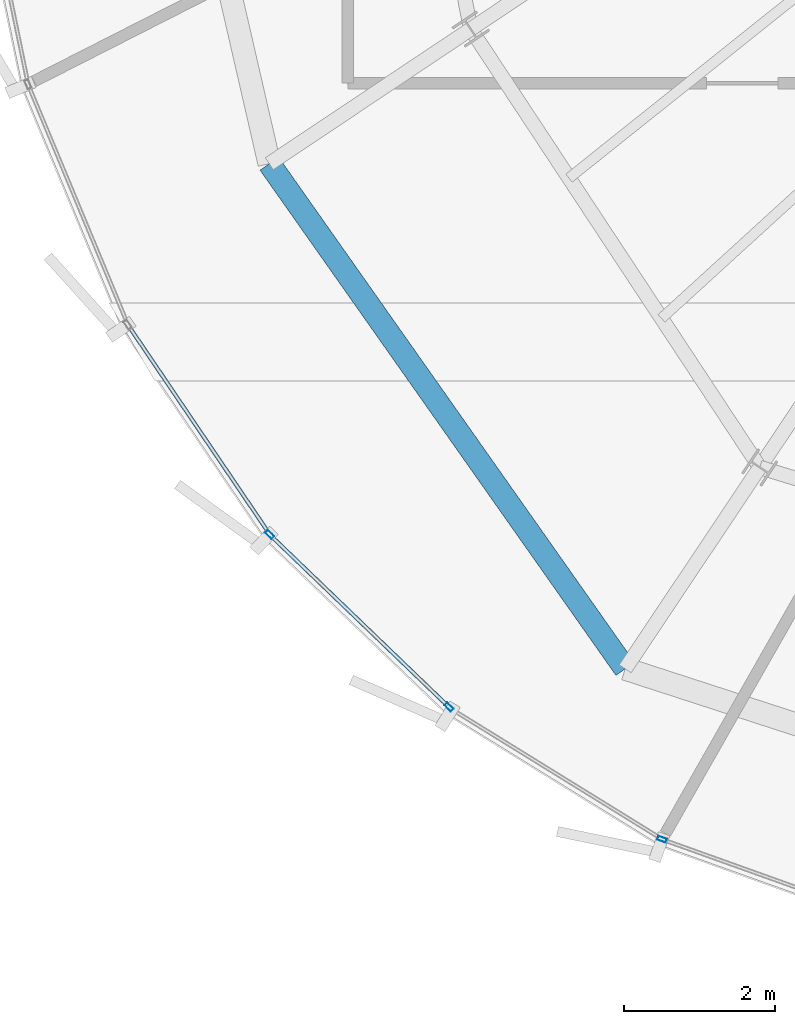
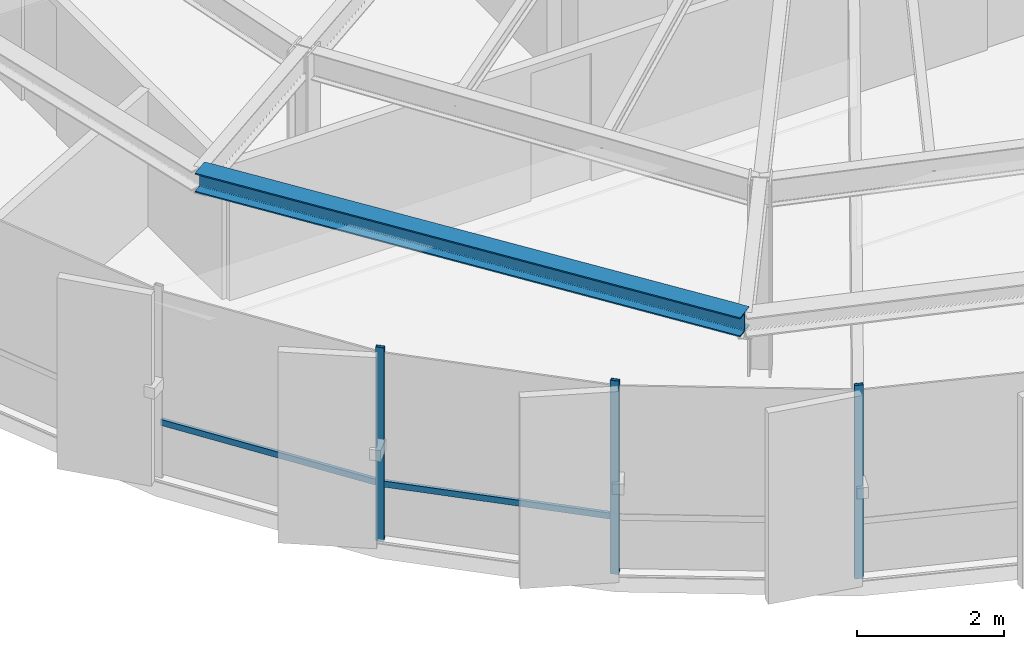
# One storey, part 2 of 35: 5 members, 1 beam, 2 elements without a shape of their own.
"""IFC4 building model written with IfcOpenShell, lengths in metres."""

from ifc_helpers import new_model, si_unit, direction, frame, origin, origin_2d, place, context, subcontext, project, spatial, hollow_rectangle, i_section, extrude, source, transform, mapped, material, layer, layer_set, material_profile, profile_set, type_object, element, aggregate, save


model = new_model("IFC4")

# Units and contexts
model_context = context("Model", 3, precision=1e-05, world=origin(), true_north=direction((0.0, 1.0)))
body_context = subcontext(model_context, "Body", "Model", "MODEL_VIEW")
ifc_project = project(units=[si_unit("LENGTHUNIT", "METRE"), si_unit("AREAUNIT", "SQUARE_METRE"), si_unit("VOLUMEUNIT", "CUBIC_METRE"), si_unit("PLANEANGLEUNIT", "RADIAN"), si_unit("MASSUNIT", "GRAM", prefix="KILO"), si_unit("THERMODYNAMICTEMPERATUREUNIT", "KELVIN")], contexts=[model_context])

# Site, building, storey
site_placement = place(None, origin())
site = spatial("IfcSite", under=ifc_project, at=site_placement, CompositionType="ELEMENT")
building_placement = place(site_placement, origin())
building = spatial("IfcBuilding", under=site, at=building_placement, Name="Kethvar Cultural Tower", CompositionType="ELEMENT")
storey_placement = place(building_placement, frame((0.0, 0.0, 245.64990234375)))
storey = spatial("IfcBuildingStorey", under=building, at=storey_placement, Name="L64", CompositionType="ELEMENT", Elevation=245.64990234375)

# Beam
ifc_material_1 = material(Name="Steel S355J2", Category="steel")
ifc_material_profile_1 = material_profile(ifc_material_1, i_section(OverallWidth=0.300048828125, OverallDepth=0.320068359375, WebThickness=0.011474609375, FlangeThickness=0.0205078125, FilletRadius=0.027099609375, at=origin_2d()), Name="Steel S355J2 — HEB320")
ifc_profile_set_1 = profile_set([ifc_material_profile_1], Name="Steel S355J2 — HEB320")
beam_type = type_object("IfcBeamType", Name="BM-SP320", PredefinedType="SPANDREL", material=ifc_profile_set_1)
shared_shape_1 = source(origin(), body_context, "Body", "SweptSolid", [
    extrude(i_section(OverallWidth=0.300048828125, OverallDepth=0.320068359375, WebThickness=0.011474609375, FlangeThickness=0.0205078125, FilletRadius=0.027099609375, at=origin_2d()), origin(), (0.0, 0.0, 1.0), 8.16259765625),
])
beam_placement = place(storey_placement, frame((30.252197265625, 16.7431640625, 3.048095703125), z_axis=(0.575940812748, -0.817491394579, 0.0), x_axis=(0.817491394579, 0.575940812748, 0.0)))
element("IfcBeam", 1, at=beam_placement, inside=storey, type_object=beam_type, Name="L64 Perimeter Spandrel Beam SP-10", PredefinedType="SPANDREL", context=body_context, shape_type="MappedRepresentation", body=[
    mapped(shared_shape_1, transform((0.0, 0.0, 0.0), scale=1.0)),
])

# Curtain wall, members
ifc_material_2 = material(Name="Aluminium 6063-T6", Category="aluminium")
ifc_layer = layer(ifc_material_2, 0.179931640625, Name="Aluminium 6063-T6", Category="aluminium")
ifc_layer_set = layer_set([ifc_layer], Name="Aluminium 6063-T6 (180 mm)")
curtain_wall_type = type_object("IfcCurtainWallType", Name="CW-SYS-05-Z56", PredefinedType="NOTDEFINED", material=ifc_layer_set)
curtain_wall_1_placement = place(storey_placement, origin())
curtain_wall_1 = element("IfcCurtainWall", 2, at=curtain_wall_1_placement, inside=storey, type_object=curtain_wall_type, Name="L64 Curtain Wall Run 03", PredefinedType="NOTDEFINED")
ifc_material_profile_2 = material_profile(ifc_material_2, hollow_rectangle(XDim=0.054931640625, YDim=0.1201171875, WallThickness=0.00390625, at=origin_2d()), Name="Aluminium 6063-T6 — RHS120x55x4")
ifc_profile_set_2 = profile_set([ifc_material_profile_2], Name="Aluminium 6063-T6 — RHS120x55x4")
member_type_1 = type_object("IfcMemberType", Name="CW-SYS-05-Z56-MUL", PredefinedType="MULLION", material=ifc_profile_set_2)
shared_shape_2 = source(origin(), body_context, "Body", "SweptSolid", [
    extrude(hollow_rectangle(XDim=0.054931640625, YDim=0.1201171875, WallThickness=0.00390625, at=origin_2d()), origin(), (0.0, 0.0, 1.0), 3.210205078125),
])
member_1_placement = place(storey_placement, frame((30.256591796875, 11.843505859375, 0.0), z_axis=(0.0, 0.0, 1.0), x_axis=(0.693288635818, 0.720660022095, 0.0)))
member_1 = element("IfcMember", 3, at=member_1_placement, type_object=member_type_1, Name="CW-L64-R03 Mullion 6", PredefinedType="MULLION", context=body_context, shape_type="MappedRepresentation", body=[
    mapped(shared_shape_2, transform((0.0, 0.0, 0.0), scale=1.0)),
])
member_2_placement = place(storey_placement, frame((32.62451171875, 9.565673828125, 0.0), z_axis=(0.0, 0.0, 1.0), x_axis=(0.693288635818, 0.720660022095, 0.0)))
member_2 = element("IfcMember", 4, at=member_2_placement, type_object=member_type_1, Name="CW-L64-R03 Mullion 7", PredefinedType="MULLION", context=body_context, shape_type="MappedRepresentation", body=[
    mapped(shared_shape_2, transform((0.0, 0.0, 0.0), scale=1.0)),
])

# Curtain wall, member
curtain_wall_2_placement = place(storey_placement, origin())
curtain_wall_2 = element("IfcCurtainWall", 5, at=curtain_wall_2_placement, inside=storey, type_object=curtain_wall_type, Name="L64 Curtain Wall Run 04", PredefinedType="NOTDEFINED")
member_3_placement = place(storey_placement, frame((35.440185546875, 7.8173828125, 0.0), z_axis=(0.0, 0.0, 1.0), x_axis=(0.337111690133, 0.941464661246, 0.0)))
member_3 = element("IfcMember", 6, at=member_3_placement, type_object=member_type_1, Name="CW-L64-R04 Mullion 2", PredefinedType="MULLION", context=body_context, shape_type="MappedRepresentation", body=[
    mapped(shared_shape_2, transform((0.0, 0.0, 0.0), scale=1.0)),
])
aggregate(curtain_wall_2, [member_3])

# Member
ifc_material_profile_3 = material_profile(ifc_material_2, hollow_rectangle(XDim=0.050048828125, YDim=0.10009765625, WallThickness=0.00390625, at=origin_2d()), Name="Aluminium 6063-T6 — RHS100x50x4")
ifc_profile_set_3 = profile_set([ifc_material_profile_3], Name="Aluminium 6063-T6 — RHS100x50x4")
member_type_2 = type_object("IfcMemberType", Name="CW-SYS-05-Z56-TRN", PredefinedType="USERDEFINED", material=ifc_profile_set_3)
shared_shape_3 = source(origin(), body_context, "Body", "SweptSolid", [
    extrude(hollow_rectangle(XDim=0.050048828125, YDim=0.10009765625, WallThickness=0.00390625, at=origin_2d()), origin(), (0.0, 0.0, 1.0), 3.289794921875),
])
member_4_placement = place(storey_placement, frame((28.40380859375, 14.58447265625, 0.9501953125), z_axis=(0.560611823565, -0.828078730121, 0.0), x_axis=(0.828078730121, 0.560611823565, 0.0)))
member_4 = element("IfcMember", 7, at=member_4_placement, type_object=member_type_2, Name="CW-L64-R03 Transom 5", ObjectType="TRANSOM", PredefinedType="USERDEFINED", context=body_context, shape_type="MappedRepresentation", body=[
    mapped(shared_shape_3, transform((0.0, 0.0, 0.0), scale=1.0)),
])

shared_shape_4 = source(origin(), body_context, "Body", "SweptSolid", [
    extrude(hollow_rectangle(XDim=0.050048828125, YDim=0.10009765625, WallThickness=0.00390625, at=origin_2d()), origin(), (0.0, 0.0, 1.0), 3.24169921875),
])
member_5_placement = place(storey_placement, frame((30.285400390625, 11.81591796875, 0.9501953125), z_axis=(0.720643459953, -0.69330585143, 0.0), x_axis=(0.69330585143, 0.720643459953, 0.0)))
member_5 = element("IfcMember", 8, at=member_5_placement, type_object=member_type_2, Name="CW-L64-R03 Transom 6", ObjectType="TRANSOM", PredefinedType="USERDEFINED", context=body_context, shape_type="MappedRepresentation", body=[
    mapped(shared_shape_4, transform((0.0, 0.0, 0.0), scale=1.0)),
])

aggregate(curtain_wall_1, [member_1, member_2, member_4, member_5])

save(model, "model.ifc")
